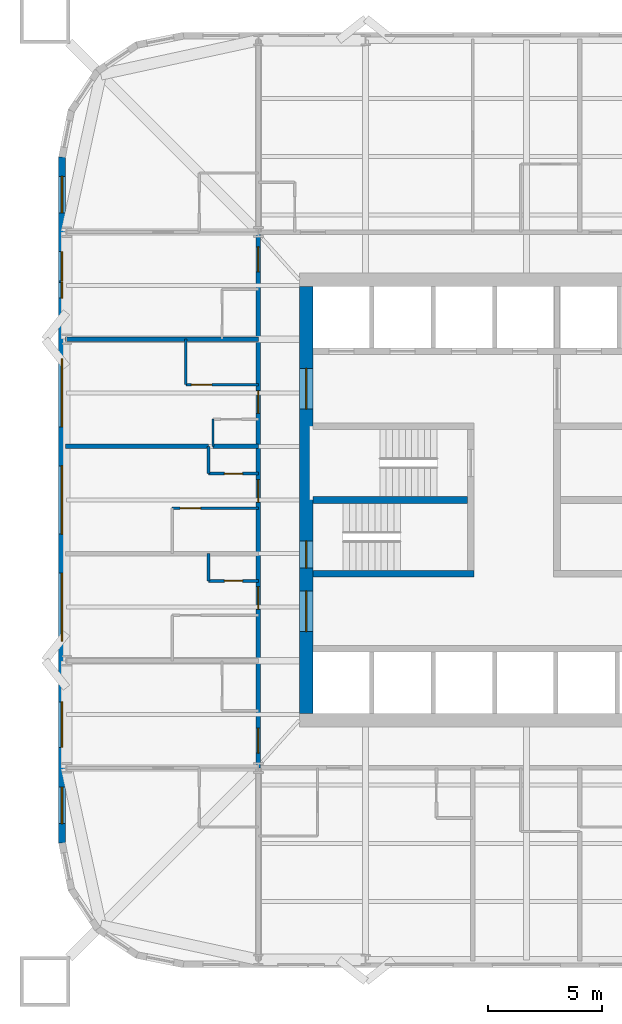
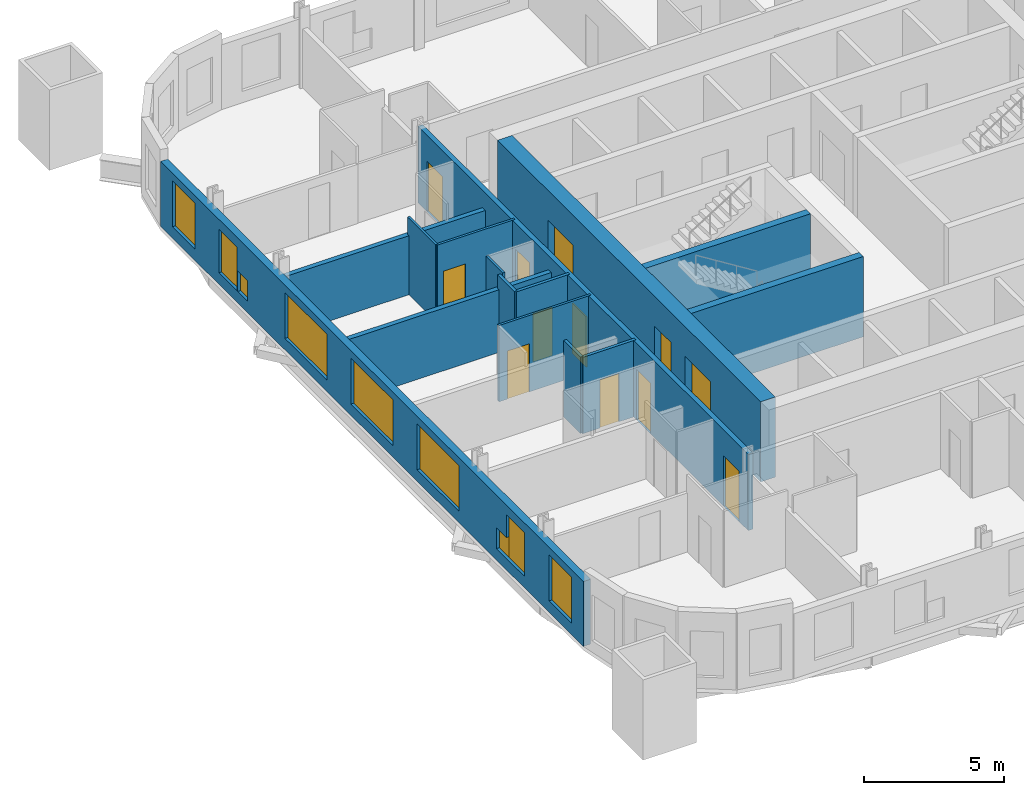
# One storey, part 4 of 9: 16 walls, 12 doors, 9 windows, 21 openings.
"""IFC4 building model written with IfcOpenShell, lengths in metres."""

import ifcopenshell
import ifcopenshell.guid

model = None  # the IFC model being written
_history = None  # IfcOwnerHistory: only IFC2X3 demands one
_inside = {}  # id of a spatial element -> (the spatial element, [elements in it])
_under = {}  # id of a project, library or spatial element -> (it, [spatial elements below it])
_declared = {}  # id of a project -> (the project, [libraries it declares])
_typed = {}  # id of a type object -> (the type object, [elements of that type])
_made_of = {}  # id of a material, layer set ... -> (it, [elements and type objects made of it])


def new_model(schema):
    """Start an empty IFC model of exactly this schema.

    Asked for "IFC4X3", IfcOpenShell would pick the latest addendum, in which some entities
    have other attributes; the version numbers below select the first issue.
    IFC2X3 requires an IfcOwnerHistory on every rooted entity: one is made here for all.
    """
    global model, _history
    if schema == "IFC4X3":
        model = ifcopenshell.file(schema_version=(4, 3, 0, 0))
    else:
        model = ifcopenshell.file(schema=schema)
    _inside.clear()
    _under.clear()
    _declared.clear()
    _typed.clear()
    _made_of.clear()
    _history = None
    if model.schema == "IFC2X3":
        org = make("IfcOrganization", Name="unknown")
        user = make(
            "IfcPersonAndOrganization",
            ThePerson=make("IfcPerson", FamilyName="unknown"),
            TheOrganization=org,
        )
        app = make(
            "IfcApplication",
            ApplicationDeveloper=org,
            Version="unknown",
            ApplicationFullName="unknown",
            ApplicationIdentifier="unknown",
        )
        _history = make(
            "IfcOwnerHistory",
            OwningUser=user,
            OwningApplication=app,
            ChangeAction="ADDED",
            CreationDate=0,
        )
    return model


def make(cls, **values):
    """One entity of the class cls with the attributes given. An attribute that is None is left unset."""
    return model.create_entity(
        cls, **{name: value for name, value in values.items() if value is not None}
    )


def rooted(cls, **values):
    """An entity with a GlobalId (a new one), such as an element, a storey or a relation."""
    return make(cls, GlobalId=ifcopenshell.guid.new(), OwnerHistory=_history, **values)


def si_unit(unit_type, name, prefix=None):
    """IfcSIUnit, for example si_unit("LENGTHUNIT", "METRE", prefix="MILLI")."""
    return make("IfcSIUnit", UnitType=unit_type, Prefix=prefix, Name=name)


def assignment(units):
    """IfcUnitAssignment: the units of a project."""
    return None if units is None else make("IfcUnitAssignment", Units=units)


def point(xyz):
    """IfcCartesianPoint."""
    return None if xyz is None else make("IfcCartesianPoint", Coordinates=xyz)


def direction(xyz):
    """IfcDirection."""
    return None if xyz is None else make("IfcDirection", DirectionRatios=xyz)


def frame(location, z_axis=None, x_axis=None):
    """IfcAxis2Placement3D, a coordinate frame: its origin and axes. An axis left out is left unset."""
    return make(
        "IfcAxis2Placement3D",
        Location=point(location),
        Axis=direction(z_axis),
        RefDirection=direction(x_axis),
    )


def frame_2d(location, x_axis=None):
    """IfcAxis2Placement2D, a coordinate frame in the plane: its origin and x axis."""
    return make(
        "IfcAxis2Placement2D", Location=point(location), RefDirection=direction(x_axis)
    )


def origin():
    """The frame at (0, 0, 0) with its axes left unset."""
    return frame((0.0, 0.0, 0.0))


def place(relative_to, where):
    """IfcLocalPlacement: puts the frame where relative to a parent placement (None: the world)."""
    return make(
        "IfcLocalPlacement", PlacementRelTo=relative_to, RelativePlacement=where
    )


def context(
    kind, dimensions, precision=None, world=None, true_north=None, identifier=None
):
    """IfcGeometricRepresentationContext, for example the 3D "Model" context."""
    return make(
        "IfcGeometricRepresentationContext",
        ContextIdentifier=identifier,
        ContextType=kind,
        CoordinateSpaceDimension=dimensions,
        Precision=precision,
        WorldCoordinateSystem=world,
        TrueNorth=true_north,
    )


def subcontext(parent, identifier, kind, view, scale=None):
    """IfcGeometricRepresentationSubContext, for example "Body" below "Model"."""
    return make(
        "IfcGeometricRepresentationSubContext",
        ContextIdentifier=identifier,
        ContextType=kind,
        ParentContext=parent,
        TargetScale=scale,
        TargetView=view,
    )


def project(units=None, contexts=None):
    """IfcProject with its units and contexts."""
    return rooted(
        "IfcProject",
        Name="project",
        RepresentationContexts=contexts,
        UnitsInContext=assignment(units),
    )


def spatial(cls, under=None, at=None, **own):
    """A site, building, storey or space (cls), placed at a placement, below another one or the project."""
    s = rooted(cls, ObjectPlacement=at, **own)
    if under is not None:
        _under.setdefault(under.id(), (under, []))[1].append(s)
    return s


def profile(cls, at=None, kind="AREA", **sizes):
    """A parametric profile (cls). Its sizes go by their IFC names, for example OverallWidth=200.0."""
    return make(cls, ProfileType=kind, Position=at, **sizes)


def rectangle(**sizes):
    """IfcRectangleProfileDef."""
    return profile("IfcRectangleProfileDef", **sizes)


def extrude(swept, where, along, depth):
    """IfcExtrudedAreaSolid: the profile swept, set in the frame where, extruded along a direction by depth."""
    return make(
        "IfcExtrudedAreaSolid",
        SweptArea=swept,
        Position=where,
        ExtrudedDirection=direction(along),
        Depth=depth,
    )


def shape(context_of_items, identifier, shape_type, items):
    """IfcShapeRepresentation: the items that make up one representation, for example the "Body"."""
    return make(
        "IfcShapeRepresentation",
        ContextOfItems=context_of_items,
        RepresentationIdentifier=identifier,
        RepresentationType=shape_type,
        Items=items,
    )


def material(Name=None, Category=None):
    """IfcMaterial."""
    return make("IfcMaterial", Name=Name, Category=Category)


def layer(
    of_material, thickness, ventilated=None, Name=None, Category=None, Priority=None
):
    """IfcMaterialLayer: one layer of a wall or slab, of a material (None: an air gap)."""
    return make(
        "IfcMaterialLayer",
        Material=of_material,
        LayerThickness=thickness,
        IsVentilated=ventilated,
        Name=Name,
        Category=Category,
        Priority=Priority,
    )


def layer_set(layers, Name=None):
    """IfcMaterialLayerSet."""
    return make("IfcMaterialLayerSet", MaterialLayers=layers, LayerSetName=Name)


def made_of(thing, what):
    """Note that an element or type object is made of a material, layer set ...; save() writes the relation."""
    if what is not None:
        _made_of.setdefault(what.id(), (what, []))[1].append(thing)
    return thing


def type_object(cls, material=None, **own):
    """A type object (cls), such as IfcWallType, which elements share."""
    return made_of(rooted(cls, **own), material)


def element(
    cls,
    number,
    at=None,
    inside=None,
    cuts=None,
    type_object=None,
    material=None,
    context=None,
    identifier="Body",
    shape_type=None,
    held_by="IfcProductDefinitionShape",
    body=None,
    shapes=None,
    **own,
):
    """One element of the class cls, such as IfcWall. Its Tag is "e" and its number.

    at: its placement. inside: the storey or other place that contains it. cuts: it is an
    opening in that element (IfcRelVoidsElement). A single representation is given by context,
    identifier, shape_type and body (its items); several are given by shapes. held_by: the class
    of the entity that holds the representations. save() writes the other relations.
    """
    e = rooted(cls, Tag="e%d" % number, ObjectPlacement=at, **own)
    if body is not None:
        shapes = [shape(context, identifier, shape_type, body)]
    if shapes is not None:
        e.Representation = make(held_by, Representations=shapes)
    if inside is not None:
        _inside.setdefault(inside.id(), (inside, []))[1].append(e)
    if cuts is not None:
        rooted(
            "IfcRelVoidsElement", RelatingBuildingElement=cuts, RelatedOpeningElement=e
        )
    if type_object is not None:
        _typed.setdefault(type_object.id(), (type_object, []))[1].append(e)
    return made_of(e, material)


def fill(opening, filler):
    """IfcRelFillsElement: the door or window that sits in an opening."""
    return rooted(
        "IfcRelFillsElement",
        RelatingOpeningElement=opening,
        RelatedBuildingElement=filler,
    )


def aggregate(whole, parts):
    """IfcRelAggregates: a whole, such as a stair, and the parts it consists of."""
    return rooted("IfcRelAggregates", RelatingObject=whole, RelatedObjects=parts)


def save(model, path):
    """Write the relations noted so far, then the file.

    IfcRelAggregates (storeys below a building ...), IfcRelContainedInSpatialStructure (elements
    in a storey), IfcRelDefinesByType, IfcRelAssociatesMaterial and IfcRelDeclares: one each for
    every whole, place, type object, material and project.
    """
    for whole, parts in _under.values():
        aggregate(whole, parts)
    for where, things in _inside.values():
        rooted(
            "IfcRelContainedInSpatialStructure",
            RelatedElements=things,
            RelatingStructure=where,
        )
    for kind, things in _typed.values():
        rooted("IfcRelDefinesByType", RelatedObjects=things, RelatingType=kind)
    for what, things in _made_of.values():
        rooted("IfcRelAssociatesMaterial", RelatedObjects=things, RelatingMaterial=what)
    for by, libraries in _declared.values():
        rooted("IfcRelDeclares", RelatingContext=by, RelatedDefinitions=libraries)
    model.write(path)


model = new_model("IFC4")

# Units and contexts
model_context = context("Model", 3, precision=1e-05, world=origin(), true_north=direction((0.0, 1.0)))
body_context = subcontext(model_context, "Body", "Model", "MODEL_VIEW")
ifc_project = project(units=[si_unit("LENGTHUNIT", "METRE"), si_unit("AREAUNIT", "SQUARE_METRE"), si_unit("VOLUMEUNIT", "CUBIC_METRE"), si_unit("PLANEANGLEUNIT", "RADIAN"), si_unit("MASSUNIT", "GRAM", prefix="KILO")], contexts=[model_context])

# Site, building, storey
site_placement = place(None, origin())
site = spatial("IfcSite", under=ifc_project, at=site_placement, CompositionType="ELEMENT")
building_placement = place(site_placement, origin())
building = spatial("IfcBuilding", under=site, at=building_placement, Name="Turquesa Mirador Hotel Tower", CompositionType="ELEMENT")
storey_placement = place(building_placement, frame((0.0, 0.0, 135.39990234375)))
storey = spatial("IfcBuildingStorey", under=building, at=storey_placement, Name="L36", CompositionType="ELEMENT", Elevation=135.39990234375)

# Wall, opening, door
ifc_material_1 = material(Name="Gypsum board on steel studs", Category="steel")
ifc_layer_1 = layer(ifc_material_1, 0.10009765625)
ifc_layer_set_1 = layer_set([ifc_layer_1], Name="BATHROOM WALL 100")
wall_type_1 = type_object("IfcWallType", Name="BATHROOM WALL 100", PredefinedType="PARTITIONING", material=ifc_layer_set_1)
wall_1_placement = place(storey_placement, frame((39.39990234375, 44.639892578125, 0.0), z_axis=(0.0, 0.0, 1.0), x_axis=(1.0, 0.0, 0.0)))
wall_1 = element("IfcWall", 1, at=wall_1_placement, inside=storey, type_object=wall_type_1, Name="Partition L36 002", PredefinedType="PARTITIONING", context=body_context, shape_type="SweptSolid", body=[
    extrude(rectangle(XDim=3.800048828125, YDim=0.10009765625, at=frame_2d((1.89990234375, 0.0))), origin(), (0.0, 0.0, 1.0), 3.330078125),
])
opening_1_placement = place(wall_1_placement, frame((0.35009765625, 0.0, 0.0)))
opening_1 = element("IfcOpeningElement", 2, at=opening_1_placement, cuts=wall_1, Name="Opening D02", PredefinedType="OPENING", context=body_context, shape_type="SweptSolid", body=[
    extrude(rectangle(XDim=0.89990234375, YDim=2.10009765625, at=frame_2d((0.449951171875, 1.050048828125))), frame((0.0, 0.06005859375, 0.0), z_axis=(0.0, -1.0, 0.0), x_axis=(1.0, 0.0, 0.0)), (0.0, 0.0, 1.0), 0.1201171875),
])
ifc_material_2 = material(Name="Timber veneered door", Category="wood")
door_type_1 = type_object("IfcDoorType", Name="DOOR 900X2100 EN-SUITE", OperationType="SINGLE_SWING_RIGHT", PredefinedType="DOOR", material=ifc_material_2)
door_1_placement = place(opening_1_placement, origin())
door_1 = element("IfcDoor", 3, at=door_1_placement, inside=storey, type_object=door_type_1, Name="Door 3612B", OperationType="SINGLE_SWING_RIGHT", OverallHeight=2.10009765625, OverallWidth=0.89990234375, PredefinedType="DOOR", context=body_context, shape_type="SweptSolid", body=[
    extrude(rectangle(XDim=0.89990234375, YDim=2.10009765625, at=frame_2d((0.449951171875, 1.050048828125))), frame((0.0, 0.02490234375, 0.0), z_axis=(0.0, -1.0, 0.0), x_axis=(1.0, 0.0, 0.0)), (0.0, 0.0, 1.0), 0.050048828125),
])
fill(opening_1, door_1)

wall_2_placement = place(storey_placement, frame((40.0, 50.080078125, 0.0), z_axis=(0.0, 0.0, 1.0), x_axis=(1.0, 0.0, 0.0)))
wall_2 = element("IfcWall", 4, at=wall_2_placement, inside=storey, type_object=wall_type_1, Name="Partition L36 042", PredefinedType="PARTITIONING", context=body_context, shape_type="SweptSolid", body=[
    extrude(rectangle(XDim=3.199951171875, YDim=0.10009765625, at=frame_2d((1.60009765625, 0.0))), origin(), (0.0, 0.0, 1.0), 3.330078125),
])
opening_2_placement = place(wall_2_placement, frame((0.25, 0.0, 0.0)))
opening_2 = element("IfcOpeningElement", 5, at=opening_2_placement, cuts=wall_2, Name="Opening D02", PredefinedType="OPENING", context=body_context, shape_type="SweptSolid", body=[
    extrude(rectangle(XDim=0.89990234375, YDim=2.10009765625, at=frame_2d((0.449951171875, 1.050048828125))), frame((0.0, 0.06005859375, 0.0), z_axis=(0.0, -1.0, 0.0), x_axis=(1.0, 0.0, 0.0)), (0.0, 0.0, 1.0), 0.1201171875),
])
door_2_placement = place(opening_2_placement, origin())
door_2 = element("IfcDoor", 6, at=door_2_placement, inside=storey, type_object=door_type_1, Name="Door 3613B", OperationType="SINGLE_SWING_RIGHT", OverallHeight=2.10009765625, OverallWidth=0.89990234375, PredefinedType="DOOR", context=body_context, shape_type="SweptSolid", body=[
    extrude(rectangle(XDim=0.89990234375, YDim=2.10009765625, at=frame_2d((0.449951171875, 1.050048828125))), frame((0.0, 0.02490234375, 0.0), z_axis=(0.0, -1.0, 0.0), x_axis=(1.0, 0.0, 0.0)), (0.0, 0.0, 1.0), 0.050048828125),
])
fill(opening_2, door_2)

# Walls
wall_3_placement = place(storey_placement, frame((41.199951171875, 47.360107421875, 0.0), z_axis=(0.0, 0.0, 1.0), x_axis=(0.0, 1.0, 0.0)))
element("IfcWall", 7, at=wall_3_placement, inside=storey, type_object=wall_type_1, Name="Partition L36 056", PredefinedType="PARTITIONING", context=body_context, shape_type="SweptSolid", body=[
    extrude(rectangle(XDim=1.199951171875, YDim=0.10009765625, at=frame_2d((0.60009765625, 0.0))), origin(), (0.0, 0.0, 1.0), 3.330078125),
])
wall_4_placement = place(storey_placement, frame((40.0, 50.080078125, 0.0), z_axis=(0.0, 0.0, 1.0), x_axis=(0.0, 1.0, 0.0)))
element("IfcWall", 8, at=wall_4_placement, inside=storey, type_object=wall_type_1, Name="Partition L36 061", PredefinedType="PARTITIONING", context=body_context, shape_type="SweptSolid", body=[
    extrude(rectangle(XDim=2.0, YDim=0.10009765625, at=frame_2d((1.0, 0.0))), origin(), (0.0, 0.0, 1.0), 3.330078125),
])
ifc_material_3 = material(Name="Concrete C50/60", Category="concrete")
ifc_layer_2 = layer(ifc_material_3, 0.300048828125)
ifc_layer_set_2 = layer_set([ifc_layer_2], Name="CORE INNER WALL 300")
wall_type_2 = type_object("IfcWallType", Name="CORE INNER WALL 300", PredefinedType="SHEAR", material=ifc_layer_set_2)
wall_5_placement = place(storey_placement, frame((45.60009765625, 41.75, 0.0), z_axis=(0.0, 0.0, 1.0), x_axis=(1.0, 0.0, 0.0)))
element("IfcWall", 9, at=wall_5_placement, inside=storey, type_object=wall_type_2, Name="Core wall MS-W", PredefinedType="SHEAR", context=body_context, shape_type="SweptSolid", body=[
    extrude(rectangle(XDim=7.099853515625, YDim=0.300048828125, at=frame_2d((3.5498046875, 0.0))), origin(), (0.0, 0.0, 1.0), 3.5),
])
wall_6_placement = place(storey_placement, frame((45.60009765625, 45.0, 0.0), z_axis=(0.0, 0.0, 1.0), x_axis=(1.0, 0.0, 0.0)))
element("IfcWall", 10, at=wall_6_placement, inside=storey, type_object=wall_type_2, Name="Core wall M0-W", PredefinedType="SHEAR", context=body_context, shape_type="SweptSolid", body=[
    extrude(rectangle(XDim=6.7998046875, YDim=0.300048828125, at=frame_2d((3.39990234375, 0.0))), origin(), (0.0, 0.0, 1.0), 3.5),
])

# Wall, openings, doors
ifc_material_4 = material(Name="Concrete C50/60", Category="concrete")
ifc_layer_3 = layer(ifc_material_4, 0.60009765625)
ifc_layer_set_3 = layer_set([ifc_layer_3], Name="CORE WALL 600")
wall_type_3 = type_object("IfcWallType", Name="CORE WALL 600", PredefinedType="SHEAR", material=ifc_layer_set_3)
wall_7_placement = place(storey_placement, frame((45.300048828125, 35.60009765625, 0.0), z_axis=(0.0, 0.0, 1.0), x_axis=(0.0, 1.0, 0.0)))
wall_7 = element("IfcWall", 11, at=wall_7_placement, inside=storey, type_object=wall_type_3, Name="Core wall W", PredefinedType="SHEAR", context=body_context, shape_type="SweptSolid", body=[
    extrude(rectangle(XDim=18.7998046875, YDim=0.60009765625, at=frame_2d((9.39990234375, 0.0))), origin(), (0.0, 0.0, 1.0), 3.5),
])
opening_3_placement = place(wall_7_placement, frame((13.39990234375, 0.0, 0.0)))
opening_3 = element("IfcOpeningElement", 12, at=opening_3_placement, cuts=wall_7, Name="Opening D04", PredefinedType="OPENING", context=body_context, shape_type="SweptSolid", body=[
    extrude(rectangle(XDim=1.800048828125, YDim=2.199951171875, at=frame_2d((0.89990234375, 1.10009765625))), frame((0.0, 0.31005859375, 0.0), z_axis=(0.0, -1.0, 0.0), x_axis=(1.0, 0.0, 0.0)), (0.0, 0.0, 1.0), 0.6201171875),
])
opening_4_placement = place(wall_7_placement, frame((3.60009765625, 0.0, 0.0)))
opening_4 = element("IfcOpeningElement", 13, at=opening_4_placement, cuts=wall_7, Name="Opening D04", PredefinedType="OPENING", context=body_context, shape_type="SweptSolid", body=[
    extrude(rectangle(XDim=1.800048828125, YDim=2.199951171875, at=frame_2d((0.89990234375, 1.10009765625))), frame((0.0, 0.31005859375, 0.0), z_axis=(0.0, -1.0, 0.0), x_axis=(1.0, 0.0, 0.0)), (0.0, 0.0, 1.0), 0.6201171875),
])
opening_5_placement = place(wall_7_placement, frame((6.39990234375, 0.0, 0.0)))
opening_5 = element("IfcOpeningElement", 14, at=opening_5_placement, cuts=wall_7, Name="Opening D03", PredefinedType="OPENING", context=body_context, shape_type="SweptSolid", body=[
    extrude(rectangle(XDim=1.199951171875, YDim=2.199951171875, at=frame_2d((0.60009765625, 1.10009765625))), frame((0.0, 0.31005859375, 0.0), z_axis=(0.0, -1.0, 0.0), x_axis=(1.0, 0.0, 0.0)), (0.0, 0.0, 1.0), 0.6201171875),
])
ifc_material_5 = material(Name="Steel fire door", Category="steel")
door_type_2 = type_object("IfcDoorType", Name="DOOR 1200X2200 STAIR", OperationType="SINGLE_SWING_LEFT", PredefinedType="DOOR", material=ifc_material_5)
door_3_placement = place(opening_5_placement, origin())
door_3 = element("IfcDoor", 15, at=door_3_placement, inside=storey, type_object=door_type_2, Name="Stair ST2 door", OperationType="SINGLE_SWING_LEFT", OverallHeight=2.199951171875, OverallWidth=1.199951171875, PredefinedType="DOOR", context=body_context, shape_type="SweptSolid", body=[
    extrude(rectangle(XDim=1.199951171875, YDim=2.199951171875, at=frame_2d((0.60009765625, 1.10009765625))), frame((0.0, 0.02490234375, 0.0), z_axis=(0.0, -1.0, 0.0), x_axis=(1.0, 0.0, 0.0)), (0.0, 0.0, 1.0), 0.050048828125),
])
fill(opening_5, door_3)
ifc_material_6 = material(Name="Steel fire door pair", Category="steel")
door_type_3 = type_object("IfcDoorType", Name="DOOR 1800X2200 PAIR", OperationType="DOUBLE_DOOR_SINGLE_SWING", PredefinedType="DOOR", material=ifc_material_6)
door_4_placement = place(opening_3_placement, origin())
door_4 = element("IfcDoor", 16, at=door_4_placement, inside=storey, type_object=door_type_3, Name="North lift lobby door", OperationType="DOUBLE_DOOR_SINGLE_SWING", OverallHeight=2.199951171875, OverallWidth=1.800048828125, PredefinedType="DOOR", context=body_context, shape_type="SweptSolid", body=[
    extrude(rectangle(XDim=1.800048828125, YDim=2.199951171875, at=frame_2d((0.89990234375, 1.10009765625))), frame((0.0, 0.02490234375, 0.0), z_axis=(0.0, -1.0, 0.0), x_axis=(1.0, 0.0, 0.0)), (0.0, 0.0, 1.0), 0.050048828125),
])
fill(opening_3, door_4)
door_5_placement = place(opening_4_placement, origin())
door_5 = element("IfcDoor", 17, at=door_5_placement, inside=storey, type_object=door_type_3, Name="South lift lobby door", OperationType="DOUBLE_DOOR_SINGLE_SWING", OverallHeight=2.199951171875, OverallWidth=1.800048828125, PredefinedType="DOOR", context=body_context, shape_type="SweptSolid", body=[
    extrude(rectangle(XDim=1.800048828125, YDim=2.199951171875, at=frame_2d((0.89990234375, 1.10009765625))), frame((0.0, 0.02490234375, 0.0), z_axis=(0.0, -1.0, 0.0), x_axis=(1.0, 0.0, 0.0)), (0.0, 0.0, 1.0), 0.050048828125),
])
fill(opening_4, door_5)

ifc_material_7 = material(Name="Fire-rated gypsum board on steel studs", Category="steel")
ifc_layer_4 = layer(ifc_material_7, 0.199951171875)
ifc_layer_set_4 = layer_set([ifc_layer_4], Name="CORRIDOR WALL 200")
wall_type_4 = type_object("IfcWallType", Name="CORRIDOR WALL 200", PredefinedType="PARTITIONING", material=ifc_layer_set_4)
wall_8_placement = place(storey_placement, frame((43.199951171875, 33.199951171875, 0.0), z_axis=(0.0, 0.0, 1.0), x_axis=(0.0, 1.0, 0.0)))
wall_8 = element("IfcWall", 18, at=wall_8_placement, inside=storey, type_object=wall_type_4, Name="Partition L36 051", PredefinedType="PARTITIONING", context=body_context, shape_type="SweptSolid", body=[
    extrude(rectangle(XDim=23.60009765625, YDim=0.199951171875, at=frame_2d((11.800048828125, 0.0))), origin(), (0.0, 0.0, 1.0), 3.330078125),
])
opening_6_placement = place(wall_8_placement, frame((6.97998046875, 0.0, 0.0)))
opening_6 = element("IfcOpeningElement", 19, at=opening_6_placement, cuts=wall_8, Name="Opening D01", PredefinedType="OPENING", context=body_context, shape_type="SweptSolid", body=[
    extrude(rectangle(XDim=1.0, YDim=2.199951171875, at=frame_2d((0.5, 1.10009765625))), frame((0.0, 0.10986328125, 0.0), z_axis=(0.0, -1.0, 0.0), x_axis=(1.0, 0.0, 0.0)), (0.0, 0.0, 1.0), 0.219970703125),
])
opening_7_placement = place(wall_8_placement, frame((11.699951171875, 0.0, 0.0)))
opening_7 = element("IfcOpeningElement", 20, at=opening_7_placement, cuts=wall_8, Name="Opening D01", PredefinedType="OPENING", context=body_context, shape_type="SweptSolid", body=[
    extrude(rectangle(XDim=1.0, YDim=2.199951171875, at=frame_2d((0.5, 1.10009765625))), frame((0.0, 0.10986328125, 0.0), z_axis=(0.0, -1.0, 0.0), x_axis=(1.0, 0.0, 0.0)), (0.0, 0.0, 1.0), 0.219970703125),
])
opening_8_placement = place(wall_8_placement, frame((15.6201171875, 0.0, 0.0)))
opening_8 = element("IfcOpeningElement", 21, at=opening_8_placement, cuts=wall_8, Name="Opening D01", PredefinedType="OPENING", context=body_context, shape_type="SweptSolid", body=[
    extrude(rectangle(XDim=1.0, YDim=2.199951171875, at=frame_2d((0.5, 1.10009765625))), frame((0.0, 0.10986328125, 0.0), z_axis=(0.0, -1.0, 0.0), x_axis=(1.0, 0.0, 0.0)), (0.0, 0.0, 1.0), 0.219970703125),
])
opening_9_placement = place(wall_8_placement, frame((21.85009765625, 0.0, 0.0)))
opening_9 = element("IfcOpeningElement", 22, at=opening_9_placement, cuts=wall_8, Name="Opening D15", PredefinedType="OPENING", context=body_context, shape_type="SweptSolid", body=[
    extrude(rectangle(XDim=1.10009765625, YDim=2.199951171875, at=frame_2d((0.550048828125, 1.10009765625))), frame((0.0, 0.10986328125, 0.0), z_axis=(0.0, -1.0, 0.0), x_axis=(1.0, 0.0, 0.0)), (0.0, 0.0, 1.0), 0.219970703125),
])
opening_10_placement = place(wall_8_placement, frame((0.64990234375, 0.0, 0.0)))
opening_10 = element("IfcOpeningElement", 23, at=opening_10_placement, cuts=wall_8, Name="Opening D15", PredefinedType="OPENING", context=body_context, shape_type="SweptSolid", body=[
    extrude(rectangle(XDim=1.10009765625, YDim=2.199951171875, at=frame_2d((0.550048828125, 1.10009765625))), frame((0.0, 0.10986328125, 0.0), z_axis=(0.0, -1.0, 0.0), x_axis=(1.0, 0.0, 0.0)), (0.0, 0.0, 1.0), 0.219970703125),
])
ifc_material_8 = material(Name="Timber veneered fire door", Category="wood")
door_type_4 = type_object("IfcDoorType", Name="DOOR 1000X2200 GUEST ENTRY", OperationType="SINGLE_SWING_LEFT", PredefinedType="DOOR", material=ifc_material_8)
door_6_placement = place(opening_6_placement, origin())
door_6 = element("IfcDoor", 24, at=door_6_placement, inside=storey, type_object=door_type_4, Name="Door 3611", OperationType="SINGLE_SWING_LEFT", OverallHeight=2.199951171875, OverallWidth=1.0, PredefinedType="DOOR", context=body_context, shape_type="SweptSolid", body=[
    extrude(rectangle(XDim=1.0, YDim=2.199951171875, at=frame_2d((0.5, 1.10009765625))), frame((0.0, 0.02490234375, 0.0), z_axis=(0.0, -1.0, 0.0), x_axis=(1.0, 0.0, 0.0)), (0.0, 0.0, 1.0), 0.050048828125),
])
fill(opening_6, door_6)
door_7_placement = place(opening_7_placement, origin())
door_7 = element("IfcDoor", 25, at=door_7_placement, inside=storey, type_object=door_type_4, Name="Door 3612", OperationType="SINGLE_SWING_LEFT", OverallHeight=2.199951171875, OverallWidth=1.0, PredefinedType="DOOR", context=body_context, shape_type="SweptSolid", body=[
    extrude(rectangle(XDim=1.0, YDim=2.199951171875, at=frame_2d((0.5, 1.10009765625))), frame((0.0, 0.02490234375, 0.0), z_axis=(0.0, -1.0, 0.0), x_axis=(1.0, 0.0, 0.0)), (0.0, 0.0, 1.0), 0.050048828125),
])
fill(opening_7, door_7)
door_8_placement = place(opening_8_placement, origin())
door_8 = element("IfcDoor", 26, at=door_8_placement, inside=storey, type_object=door_type_4, Name="Door 3613", OperationType="SINGLE_SWING_LEFT", OverallHeight=2.199951171875, OverallWidth=1.0, PredefinedType="DOOR", context=body_context, shape_type="SweptSolid", body=[
    extrude(rectangle(XDim=1.0, YDim=2.199951171875, at=frame_2d((0.5, 1.10009765625))), frame((0.0, 0.02490234375, 0.0), z_axis=(0.0, -1.0, 0.0), x_axis=(1.0, 0.0, 0.0)), (0.0, 0.0, 1.0), 0.050048828125),
])
fill(opening_8, door_8)
ifc_material_9 = material(Name="Timber veneered fire door", Category="wood")
door_type_5 = type_object("IfcDoorType", Name="DOOR 1100X2200 SUITE ENTRY", OperationType="SINGLE_SWING_LEFT", PredefinedType="DOOR", material=ifc_material_9)
door_9_placement = place(opening_9_placement, origin())
door_9 = element("IfcDoor", 27, at=door_9_placement, inside=storey, type_object=door_type_5, Name="Door 3615", OperationType="SINGLE_SWING_LEFT", OverallHeight=2.199951171875, OverallWidth=1.10009765625, PredefinedType="DOOR", context=body_context, shape_type="SweptSolid", body=[
    extrude(rectangle(XDim=1.10009765625, YDim=2.199951171875, at=frame_2d((0.550048828125, 1.10009765625))), frame((0.0, 0.02490234375, 0.0), z_axis=(0.0, -1.0, 0.0), x_axis=(1.0, 0.0, 0.0)), (0.0, 0.0, 1.0), 0.050048828125),
])
fill(opening_9, door_9)
door_10_placement = place(opening_10_placement, origin())
door_10 = element("IfcDoor", 28, at=door_10_placement, inside=storey, type_object=door_type_5, Name="Door 3616", OperationType="SINGLE_SWING_LEFT", OverallHeight=2.199951171875, OverallWidth=1.10009765625, PredefinedType="DOOR", context=body_context, shape_type="SweptSolid", body=[
    extrude(rectangle(XDim=1.10009765625, YDim=2.199951171875, at=frame_2d((0.550048828125, 1.10009765625))), frame((0.0, 0.02490234375, 0.0), z_axis=(0.0, -1.0, 0.0), x_axis=(1.0, 0.0, 0.0)), (0.0, 0.0, 1.0), 0.050048828125),
])
fill(opening_10, door_10)

# Wall, openings, windows
ifc_material_10 = material(Name="Limestone cladding on concrete block", Category="masonry")
ifc_layer_5 = layer(ifc_material_10, 0.300048828125)
ifc_layer_set_5 = layer_set([ifc_layer_5], Name="FACADE WALL 300 STONE SCREEN")
wall_type_5 = type_object("IfcWallType", Name="FACADE WALL 300 STONE SCREEN", PredefinedType="SOLIDWALL", material=ifc_layer_set_5)
wall_9_placement = place(storey_placement, frame((34.550048828125, 60.10009765625, 0.0), z_axis=(0.0, 0.0, 1.0), x_axis=(0.0, -1.0, 0.0)))
wall_9 = element("IfcWall", 29, at=wall_9_placement, inside=storey, type_object=wall_type_5, Name="Facade wall L36 14", PredefinedType="SOLIDWALL", context=body_context, shape_type="SweptSolid", body=[
    extrude(rectangle(XDim=30.2001953125, YDim=0.300048828125, at=frame_2d((15.10009765625, 0.0))), origin(), (0.0, 0.0, 1.0), 2.830078125),
])
opening_11_placement = place(wall_9_placement, frame((0.85009765625, 0.0, 0.5)))
opening_11 = element("IfcOpeningElement", 30, at=opening_11_placement, cuts=wall_9, Name="Opening WN3", PredefinedType="OPENING", context=body_context, shape_type="SweptSolid", body=[
    extrude(rectangle(XDim=1.60009765625, YDim=2.0, at=frame_2d((0.800048828125, 1.0))), frame((0.0, 0.159912109375, 0.0), z_axis=(0.0, -1.0, 0.0), x_axis=(1.0, 0.0, 0.0)), (0.0, 0.0, 1.0), 0.320068359375),
])
opening_12_placement = place(wall_9_placement, frame((4.159912109375, 0.0, 0.5)))
opening_12 = element("IfcOpeningElement", 31, at=opening_12_placement, cuts=wall_9, Name="Opening WN27", PredefinedType="OPENING", context=body_context, shape_type="SweptSolid", body=[
    extrude(rectangle(XDim=1.300048828125, YDim=1.89990234375, at=frame_2d((0.64990234375, 0.949951171875))), frame((0.0, 0.159912109375, 0.0), z_axis=(0.0, -1.0, 0.0), x_axis=(1.0, 0.0, 0.0)), (0.0, 0.0, 1.0), 0.320068359375),
])
opening_13_placement = place(wall_9_placement, frame((8.8798828125, 0.0, 0.5)))
opening_13 = element("IfcOpeningElement", 32, at=opening_13_placement, cuts=wall_9, Name="Opening WN1", PredefinedType="OPENING", context=body_context, shape_type="SweptSolid", body=[
    extrude(rectangle(XDim=3.0, YDim=2.0, at=frame_2d((1.5, 1.0))), frame((0.0, 0.159912109375, 0.0), z_axis=(0.0, -1.0, 0.0), x_axis=(1.0, 0.0, 0.0)), (0.0, 0.0, 1.0), 0.320068359375),
])
opening_14_placement = place(wall_9_placement, frame((13.60009765625, 0.0, 0.5)))
opening_14 = element("IfcOpeningElement", 33, at=opening_14_placement, cuts=wall_9, Name="Opening WN1", PredefinedType="OPENING", context=body_context, shape_type="SweptSolid", body=[
    extrude(rectangle(XDim=3.0, YDim=2.0, at=frame_2d((1.5, 1.0))), frame((0.0, 0.159912109375, 0.0), z_axis=(0.0, -1.0, 0.0), x_axis=(1.0, 0.0, 0.0)), (0.0, 0.0, 1.0), 0.320068359375),
])
opening_15_placement = place(wall_9_placement, frame((18.320068359375, 0.0, 0.5)))
opening_15 = element("IfcOpeningElement", 34, at=opening_15_placement, cuts=wall_9, Name="Opening WN1", PredefinedType="OPENING", context=body_context, shape_type="SweptSolid", body=[
    extrude(rectangle(XDim=3.0, YDim=2.0, at=frame_2d((1.5, 1.0))), frame((0.0, 0.159912109375, 0.0), z_axis=(0.0, -1.0, 0.0), x_axis=(1.0, 0.0, 0.0)), (0.0, 0.0, 1.0), 0.320068359375),
])
opening_16_placement = place(wall_9_placement, frame((24.68994140625, 0.0, 0.5)))
opening_16 = element("IfcOpeningElement", 35, at=opening_16_placement, cuts=wall_9, Name="Opening WN27", PredefinedType="OPENING", context=body_context, shape_type="SweptSolid", body=[
    extrude(rectangle(XDim=1.300048828125, YDim=1.89990234375, at=frame_2d((0.64990234375, 0.949951171875))), frame((0.0, 0.159912109375, 0.0), z_axis=(0.0, -1.0, 0.0), x_axis=(1.0, 0.0, 0.0)), (0.0, 0.0, 1.0), 0.320068359375),
])
opening_17_placement = place(wall_9_placement, frame((27.75, 0.0, 0.5)))
opening_17 = element("IfcOpeningElement", 36, at=opening_17_placement, cuts=wall_9, Name="Opening WN3", PredefinedType="OPENING", context=body_context, shape_type="SweptSolid", body=[
    extrude(rectangle(XDim=1.60009765625, YDim=2.0, at=frame_2d((0.800048828125, 1.0))), frame((0.0, 0.159912109375, 0.0), z_axis=(0.0, -1.0, 0.0), x_axis=(1.0, 0.0, 0.0)), (0.0, 0.0, 1.0), 0.320068359375),
])
opening_18_placement = place(wall_9_placement, frame((5.510009765625, 0.0, 0.5)))
opening_18 = element("IfcOpeningElement", 37, at=opening_18_placement, cuts=wall_9, Name="Opening WN31", PredefinedType="OPENING", context=body_context, shape_type="SweptSolid", body=[
    extrude(rectangle(XDim=0.699951171875, YDim=0.89990234375, at=frame_2d((0.35009765625, 0.449951171875))), frame((0.0, 0.159912109375, 0.0), z_axis=(0.0, -1.0, 0.0), x_axis=(1.0, 0.0, 0.0)), (0.0, 0.0, 1.0), 0.320068359375),
])
opening_19_placement = place(wall_9_placement, frame((23.989990234375, 0.0, 0.5)))
opening_19 = element("IfcOpeningElement", 38, at=opening_19_placement, cuts=wall_9, Name="Opening WN31", PredefinedType="OPENING", context=body_context, shape_type="SweptSolid", body=[
    extrude(rectangle(XDim=0.699951171875, YDim=0.89990234375, at=frame_2d((0.35009765625, 0.449951171875))), frame((0.0, 0.159912109375, 0.0), z_axis=(0.0, -1.0, 0.0), x_axis=(1.0, 0.0, 0.0)), (0.0, 0.0, 1.0), 0.320068359375),
])
ifc_material_11 = material(Name="Ceramic-fritted laminated glass", Category="glass")
window_type_1 = type_object("IfcWindowType", Name="FRITTED WINDOW 1300X1900", PartitioningType="DOUBLE_PANEL_HORIZONTAL", PredefinedType="WINDOW", material=ifc_material_11)
window_1_placement = place(opening_12_placement, origin())
window_1 = element("IfcWindow", 39, at=window_1_placement, inside=storey, type_object=window_type_1, Name="Window L36", OverallHeight=1.89990234375, OverallWidth=1.300048828125, PartitioningType="SINGLE_PANEL", PredefinedType="WINDOW", context=body_context, shape_type="SweptSolid", body=[
    extrude(rectangle(XDim=1.300048828125, YDim=1.89990234375, at=frame_2d((0.64990234375, 0.949951171875))), frame((0.0, 0.030029296875, 0.0), z_axis=(0.0, -1.0, 0.0), x_axis=(1.0, 0.0, 0.0)), (0.0, 0.0, 1.0), 0.06005859375),
])
fill(opening_12, window_1)
window_2_placement = place(opening_16_placement, origin())
window_2 = element("IfcWindow", 40, at=window_2_placement, inside=storey, type_object=window_type_1, Name="Window L36", OverallHeight=1.89990234375, OverallWidth=1.300048828125, PartitioningType="SINGLE_PANEL", PredefinedType="WINDOW", context=body_context, shape_type="SweptSolid", body=[
    extrude(rectangle(XDim=1.300048828125, YDim=1.89990234375, at=frame_2d((0.64990234375, 0.949951171875))), frame((0.0, 0.030029296875, 0.0), z_axis=(0.0, -1.0, 0.0), x_axis=(1.0, 0.0, 0.0)), (0.0, 0.0, 1.0), 0.06005859375),
])
fill(opening_16, window_2)
ifc_material_12 = material(Name="Ceramic-fritted laminated glass", Category="glass")
window_type_2 = type_object("IfcWindowType", Name="FRITTED WINDOW 1600X2000", PartitioningType="DOUBLE_PANEL_HORIZONTAL", PredefinedType="WINDOW", material=ifc_material_12)
window_3_placement = place(opening_11_placement, origin())
window_3 = element("IfcWindow", 41, at=window_3_placement, inside=storey, type_object=window_type_2, Name="Window L36", OverallHeight=2.0, OverallWidth=1.60009765625, PartitioningType="SINGLE_PANEL", PredefinedType="WINDOW", context=body_context, shape_type="SweptSolid", body=[
    extrude(rectangle(XDim=1.60009765625, YDim=2.0, at=frame_2d((0.800048828125, 1.0))), frame((0.0, 0.030029296875, 0.0), z_axis=(0.0, -1.0, 0.0), x_axis=(1.0, 0.0, 0.0)), (0.0, 0.0, 1.0), 0.06005859375),
])
fill(opening_11, window_3)
window_4_placement = place(opening_17_placement, origin())
window_4 = element("IfcWindow", 42, at=window_4_placement, inside=storey, type_object=window_type_2, Name="Window L36", OverallHeight=2.0, OverallWidth=1.60009765625, PartitioningType="SINGLE_PANEL", PredefinedType="WINDOW", context=body_context, shape_type="SweptSolid", body=[
    extrude(rectangle(XDim=1.60009765625, YDim=2.0, at=frame_2d((0.800048828125, 1.0))), frame((0.0, 0.030029296875, 0.0), z_axis=(0.0, -1.0, 0.0), x_axis=(1.0, 0.0, 0.0)), (0.0, 0.0, 1.0), 0.06005859375),
])
fill(opening_17, window_4)
ifc_material_13 = material(Name="Ceramic-fritted laminated glass", Category="glass")
window_type_3 = type_object("IfcWindowType", Name="FRITTED WINDOW 3000X2000", PartitioningType="DOUBLE_PANEL_HORIZONTAL", PredefinedType="WINDOW", material=ifc_material_13)
window_5_placement = place(opening_13_placement, origin())
window_5 = element("IfcWindow", 43, at=window_5_placement, inside=storey, type_object=window_type_3, Name="Window L36", OverallHeight=2.0, OverallWidth=3.0, PartitioningType="SINGLE_PANEL", PredefinedType="WINDOW", context=body_context, shape_type="SweptSolid", body=[
    extrude(rectangle(XDim=3.0, YDim=2.0, at=frame_2d((1.5, 1.0))), frame((0.0, 0.030029296875, 0.0), z_axis=(0.0, -1.0, 0.0), x_axis=(1.0, 0.0, 0.0)), (0.0, 0.0, 1.0), 0.06005859375),
])
fill(opening_13, window_5)
window_6_placement = place(opening_14_placement, origin())
window_6 = element("IfcWindow", 44, at=window_6_placement, inside=storey, type_object=window_type_3, Name="Window L36", OverallHeight=2.0, OverallWidth=3.0, PartitioningType="SINGLE_PANEL", PredefinedType="WINDOW", context=body_context, shape_type="SweptSolid", body=[
    extrude(rectangle(XDim=3.0, YDim=2.0, at=frame_2d((1.5, 1.0))), frame((0.0, 0.030029296875, 0.0), z_axis=(0.0, -1.0, 0.0), x_axis=(1.0, 0.0, 0.0)), (0.0, 0.0, 1.0), 0.06005859375),
])
fill(opening_14, window_6)
window_7_placement = place(opening_15_placement, origin())
window_7 = element("IfcWindow", 45, at=window_7_placement, inside=storey, type_object=window_type_3, Name="Window L36", OverallHeight=2.0, OverallWidth=3.0, PartitioningType="SINGLE_PANEL", PredefinedType="WINDOW", context=body_context, shape_type="SweptSolid", body=[
    extrude(rectangle(XDim=3.0, YDim=2.0, at=frame_2d((1.5, 1.0))), frame((0.0, 0.030029296875, 0.0), z_axis=(0.0, -1.0, 0.0), x_axis=(1.0, 0.0, 0.0)), (0.0, 0.0, 1.0), 0.06005859375),
])
fill(opening_15, window_7)
ifc_material_14 = material(Name="Ceramic-fritted laminated glass", Category="glass")
window_type_4 = type_object("IfcWindowType", Name="FRITTED WINDOW 700X900", PartitioningType="DOUBLE_PANEL_HORIZONTAL", PredefinedType="WINDOW", material=ifc_material_14)
window_8_placement = place(opening_18_placement, origin())
window_8 = element("IfcWindow", 46, at=window_8_placement, inside=storey, type_object=window_type_4, Name="Window L36", OverallHeight=0.89990234375, OverallWidth=0.699951171875, PartitioningType="SINGLE_PANEL", PredefinedType="WINDOW", context=body_context, shape_type="SweptSolid", body=[
    extrude(rectangle(XDim=0.699951171875, YDim=0.89990234375, at=frame_2d((0.35009765625, 0.449951171875))), frame((0.0, 0.030029296875, 0.0), z_axis=(0.0, -1.0, 0.0), x_axis=(1.0, 0.0, 0.0)), (0.0, 0.0, 1.0), 0.06005859375),
])
fill(opening_18, window_8)
window_9_placement = place(opening_19_placement, origin())
window_9 = element("IfcWindow", 47, at=window_9_placement, inside=storey, type_object=window_type_4, Name="Window L36", OverallHeight=0.89990234375, OverallWidth=0.699951171875, PartitioningType="SINGLE_PANEL", PredefinedType="WINDOW", context=body_context, shape_type="SweptSolid", body=[
    extrude(rectangle(XDim=0.699951171875, YDim=0.89990234375, at=frame_2d((0.35009765625, 0.449951171875))), frame((0.0, 0.030029296875, 0.0), z_axis=(0.0, -1.0, 0.0), x_axis=(1.0, 0.0, 0.0)), (0.0, 0.0, 1.0), 0.06005859375),
])
fill(opening_19, window_9)

# Walls
ifc_material_15 = material(Name="Fire-rated gypsum board on steel studs", Category="steel")
ifc_layer_6 = layer(ifc_material_15, 0.199951171875)
ifc_layer_set_6 = layer_set([ifc_layer_6], Name="PARTY WALL 200")
wall_type_6 = type_object("IfcWallType", Name="PARTY WALL 200", PredefinedType="PARTITIONING", material=ifc_layer_set_6)
wall_10_placement = place(storey_placement, frame((34.699951171875, 47.360107421875, 0.0), z_axis=(0.0, 0.0, 1.0), x_axis=(1.0, 0.0, 0.0)))
element("IfcWall", 48, at=wall_10_placement, inside=storey, type_object=wall_type_6, Name="Partition L36 038", PredefinedType="PARTITIONING", context=body_context, shape_type="SweptSolid", body=[
    extrude(rectangle(XDim=6.300048828125, YDim=0.199951171875, at=frame_2d((3.14990234375, 0.0))), origin(), (0.0, 0.0, 1.0), 2.730712890625),
])
wall_11_placement = place(storey_placement, frame((41.199951171875, 47.360107421875, 0.0), z_axis=(0.0, 0.0, 1.0), x_axis=(1.0, 0.0, 0.0)))
element("IfcWall", 49, at=wall_11_placement, inside=storey, type_object=wall_type_6, Name="Partition L36 039", PredefinedType="PARTITIONING", context=body_context, shape_type="SweptSolid", body=[
    extrude(rectangle(XDim=2.0, YDim=0.199951171875, at=frame_2d((1.0, 0.0))), origin(), (0.0, 0.0, 1.0), 2.730712890625),
])
wall_12_placement = place(storey_placement, frame((34.699951171875, 52.080078125, 0.0), z_axis=(0.0, 0.0, 1.0), x_axis=(1.0, 0.0, 0.0)))
element("IfcWall", 50, at=wall_12_placement, inside=storey, type_object=wall_type_6, Name="Partition L36 044", PredefinedType="PARTITIONING", context=body_context, shape_type="SweptSolid", body=[
    extrude(rectangle(XDim=8.5, YDim=0.199951171875, at=frame_2d((4.25, 0.0))), origin(), (0.0, 0.0, 1.0), 2.5732421875),
])

# Wall, opening, door
ifc_material_16 = material(Name="Acoustic gypsum board on steel studs", Category="steel")
ifc_layer_7 = layer(ifc_material_16, 0.125)
ifc_layer_set_7 = layer_set([ifc_layer_7], Name="SUITE PARTITION 125")
wall_type_7 = type_object("IfcWallType", Name="SUITE PARTITION 125", PredefinedType="PARTITIONING", material=ifc_layer_set_7)
wall_13_placement = place(storey_placement, frame((41.0, 41.43994140625, 0.0), z_axis=(0.0, 0.0, 1.0), x_axis=(1.0, 0.0, 0.0)))
wall_13 = element("IfcWall", 51, at=wall_13_placement, inside=storey, type_object=wall_type_7, Name="Partition L36 018", PredefinedType="PARTITIONING", context=body_context, shape_type="SweptSolid", body=[
    extrude(rectangle(XDim=2.199951171875, YDim=0.125, at=frame_2d((1.10009765625, 0.0))), origin(), (0.0, 0.0, 1.0), 3.330078125),
])
opening_20_placement = place(wall_13_placement, frame((0.699951171875, 0.0, 0.0)))
opening_20 = element("IfcOpeningElement", 52, at=opening_20_placement, cuts=wall_13, Name="Opening D20", PredefinedType="OPENING", context=body_context, shape_type="SweptSolid", body=[
    extrude(rectangle(XDim=0.800048828125, YDim=2.10009765625, at=frame_2d((0.39990234375, 1.050048828125))), frame((0.0, 0.072509765625, 0.0), z_axis=(0.0, -1.0, 0.0), x_axis=(1.0, 0.0, 0.0)), (0.0, 0.0, 1.0), 0.14501953125),
])
ifc_material_17 = material(Name="Timber veneered sliding door", Category="wood")
door_type_6 = type_object("IfcDoorType", Name="DOOR 800X2100 WARDROBE", OperationType="SLIDING_TO_LEFT", PredefinedType="DOOR", material=ifc_material_17)
door_11_placement = place(opening_20_placement, origin())
door_11 = element("IfcDoor", 53, at=door_11_placement, inside=storey, type_object=door_type_6, Name="Door 3611W", OperationType="SLIDING_TO_LEFT", OverallHeight=2.10009765625, OverallWidth=0.800048828125, PredefinedType="DOOR", context=body_context, shape_type="SweptSolid", body=[
    extrude(rectangle(XDim=0.800048828125, YDim=2.10009765625, at=frame_2d((0.39990234375, 1.050048828125))), frame((0.0, 0.02490234375, 0.0), z_axis=(0.0, -1.0, 0.0), x_axis=(1.0, 0.0, 0.0)), (0.0, 0.0, 1.0), 0.050048828125),
])
fill(opening_20, door_11)

wall_14_placement = place(storey_placement, frame((41.0, 46.159912109375, 0.0), z_axis=(0.0, 0.0, 1.0), x_axis=(1.0, 0.0, 0.0)))
wall_14 = element("IfcWall", 54, at=wall_14_placement, inside=storey, type_object=wall_type_7, Name="Partition L36 025", PredefinedType="PARTITIONING", context=body_context, shape_type="SweptSolid", body=[
    extrude(rectangle(XDim=2.199951171875, YDim=0.125, at=frame_2d((1.10009765625, 0.0))), origin(), (0.0, 0.0, 1.0), 3.330078125),
])
opening_21_placement = place(wall_14_placement, frame((0.699951171875, 0.0, 0.0)))
opening_21 = element("IfcOpeningElement", 55, at=opening_21_placement, cuts=wall_14, Name="Opening D20", PredefinedType="OPENING", context=body_context, shape_type="SweptSolid", body=[
    extrude(rectangle(XDim=0.800048828125, YDim=2.10009765625, at=frame_2d((0.39990234375, 1.050048828125))), frame((0.0, 0.072509765625, 0.0), z_axis=(0.0, -1.0, 0.0), x_axis=(1.0, 0.0, 0.0)), (0.0, 0.0, 1.0), 0.14501953125),
])
door_12_placement = place(opening_21_placement, origin())
door_12 = element("IfcDoor", 56, at=door_12_placement, inside=storey, type_object=door_type_6, Name="Door 3612W", OperationType="SLIDING_TO_LEFT", OverallHeight=2.10009765625, OverallWidth=0.800048828125, PredefinedType="DOOR", context=body_context, shape_type="SweptSolid", body=[
    extrude(rectangle(XDim=0.800048828125, YDim=2.10009765625, at=frame_2d((0.39990234375, 1.050048828125))), frame((0.0, 0.02490234375, 0.0), z_axis=(0.0, -1.0, 0.0), x_axis=(1.0, 0.0, 0.0)), (0.0, 0.0, 1.0), 0.050048828125),
])
fill(opening_21, door_12)

# Walls
wall_15_placement = place(storey_placement, frame((41.0, 41.43994140625, 0.0), z_axis=(0.0, 0.0, 1.0), x_axis=(0.0, 1.0, 0.0)))
element("IfcWall", 57, at=wall_15_placement, inside=storey, type_object=wall_type_7, Name="Partition L36 057", PredefinedType="PARTITIONING", context=body_context, shape_type="SweptSolid", body=[
    extrude(rectangle(XDim=1.199951171875, YDim=0.125, at=frame_2d((0.60009765625, 0.0))), origin(), (0.0, 0.0, 1.0), 3.330078125),
])
wall_16_placement = place(storey_placement, frame((41.0, 46.159912109375, 0.0), z_axis=(0.0, 0.0, 1.0), x_axis=(0.0, 1.0, 0.0)))
element("IfcWall", 58, at=wall_16_placement, inside=storey, type_object=wall_type_7, Name="Partition L36 058", PredefinedType="PARTITIONING", context=body_context, shape_type="SweptSolid", body=[
    extrude(rectangle(XDim=1.2001953125, YDim=0.125, at=frame_2d((0.60009765625, 0.0))), origin(), (0.0, 0.0, 1.0), 3.330078125),
])

save(model, "model.ifc")
